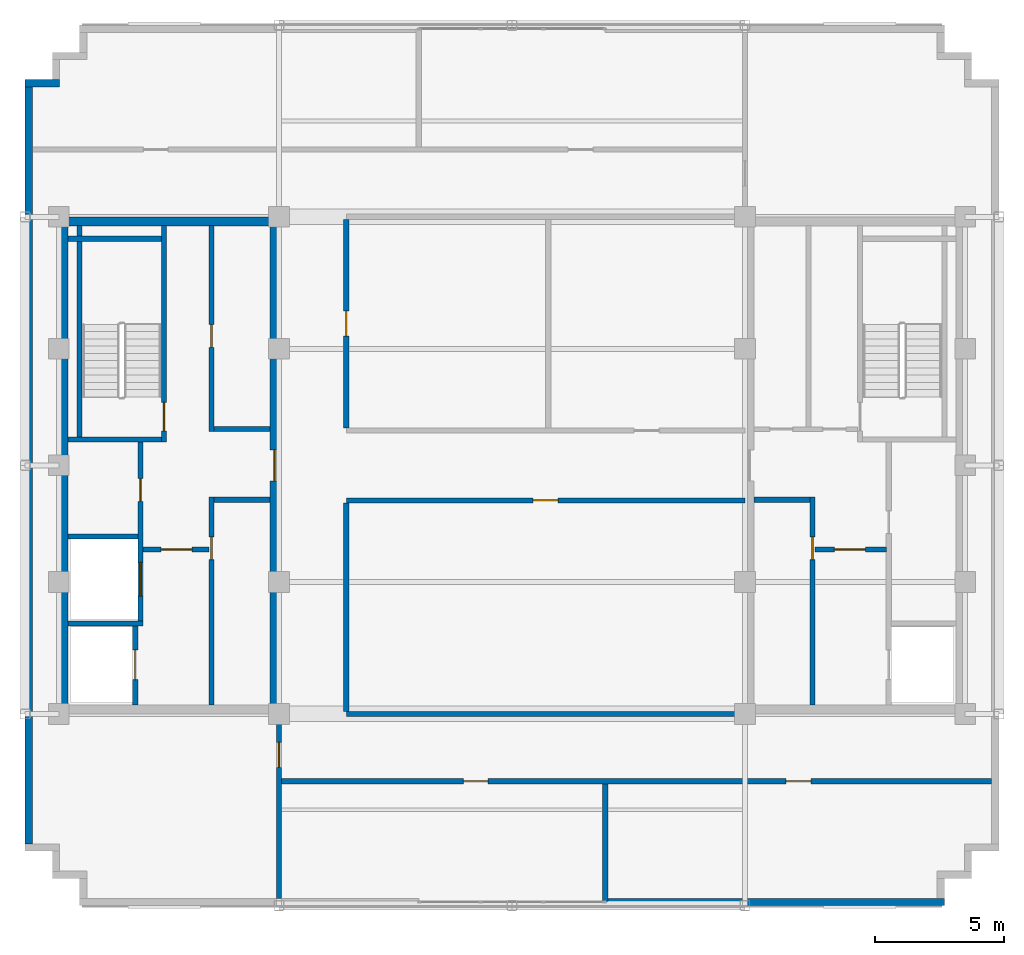
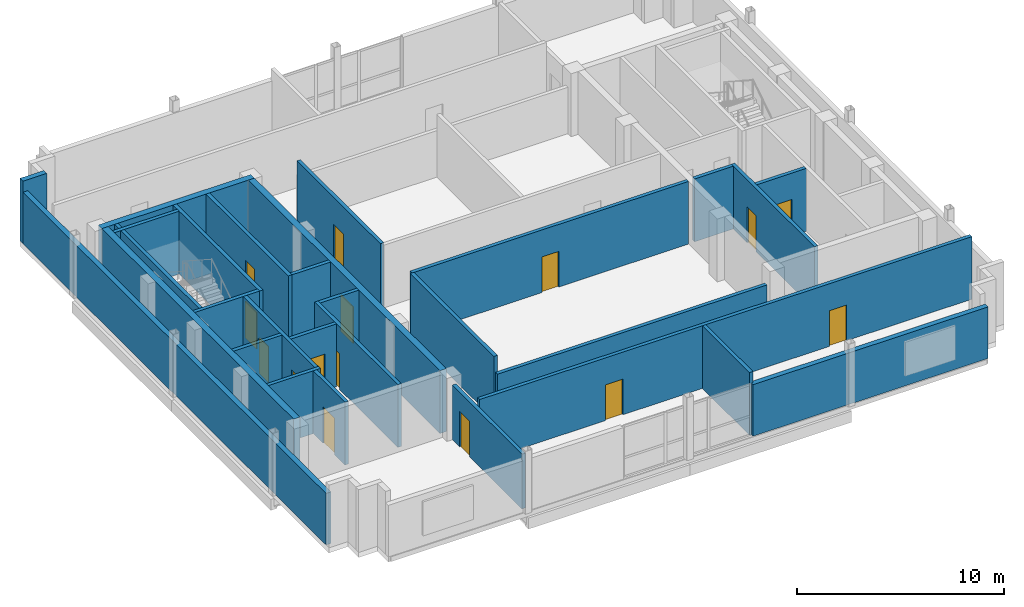
# One storey, part 2 of 10: 29 walls, 15 doors, 15 openings.
"""IFC4 building model written with IfcOpenShell, lengths in metres."""

from ifc_helpers import new_model, si_unit, direction, frame, frame_2d, origin, place, context, subcontext, project, spatial, rectangle, extrude, source, transform, mapped, material, layer, layer_set, type_object, type_shapes, element, fill, save


model = new_model("IFC4")

# Units and contexts
model_context = context("Model", 3, precision=1e-05, world=origin(), true_north=direction((0.0, 1.0)))
body_context = subcontext(model_context, "Body", "Model", "MODEL_VIEW")
ifc_project = project(units=[si_unit("LENGTHUNIT", "METRE"), si_unit("AREAUNIT", "SQUARE_METRE"), si_unit("VOLUMEUNIT", "CUBIC_METRE"), si_unit("PLANEANGLEUNIT", "RADIAN"), si_unit("MASSUNIT", "GRAM", prefix="KILO")], contexts=[model_context])

# Site, building, storey
site_placement = place(None, origin())
site = spatial("IfcSite", under=ifc_project, at=site_placement, CompositionType="ELEMENT")
building_placement = place(site_placement, origin())
building = spatial("IfcBuilding", under=site, at=building_placement, Name="Nuvemarco Arch Tower", CompositionType="ELEMENT")
storey_placement = place(building_placement, frame((0.0, 0.0, 291.14990234375)))
storey = spatial("IfcBuildingStorey", under=building, at=storey_placement, Name="L77", CompositionType="ELEMENT", Elevation=291.14990234375)

# Walls
ifc_material_1 = material(Name="Precast concrete C45/55", Category="concrete")
ifc_layer_1 = layer(ifc_material_1, 0.280029296875, Name="EW-CRN-280")
ifc_layer_set_1 = layer_set([ifc_layer_1], Name="Precast concrete C45/55")
wall_type_1 = type_object("IfcWallType", Name="EW-CRN-280", PredefinedType="STANDARD", material=ifc_layer_set_1)
wall_1_placement = place(storey_placement, frame((3.60009765625, -16.860107421875, 0.0), z_axis=(0.0, 0.0, 1.0), x_axis=(1.0, 0.0, 0.0)))
element("IfcWall", 1, at=wall_1_placement, inside=storey, type_object=wall_type_1, Name="L77 exterior precast pier wall south right", PredefinedType="STANDARD", context=body_context, shape_type="SweptSolid", body=[
    extrude(rectangle(XDim=13.099853515625, YDim=0.280029296875, at=frame_2d((6.5498046875, 0.0))), origin(), (0.0, 0.0, 1.0), 3.03515625),
])
wall_2_placement = place(storey_placement, frame((-18.800048828125, 14.760009765625, 0.0), z_axis=(0.0, 0.0, 1.0), x_axis=(1.0, 0.0, 0.0)))
element("IfcWall", 2, at=wall_2_placement, inside=storey, type_object=wall_type_1, Name="L77 exterior precast facade wall 15", PredefinedType="STANDARD", context=body_context, shape_type="SweptSolid", body=[
    extrude(rectangle(XDim=1.330078125, YDim=0.280029296875, at=frame_2d((0.6650390625, 0.0))), origin(), (0.0, 0.0, 1.0), 3.690185546875),
])
wall_3_placement = place(storey_placement, frame((-18.659912109375, -14.6240234375, 0.0), z_axis=(0.0, 0.0, 1.0), x_axis=(0.0, 1.0, 0.0)))
element("IfcWall", 3, at=wall_3_placement, inside=storey, type_object=wall_type_1, Name="L77 exterior precast facade wall 16", PredefinedType="STANDARD", context=body_context, shape_type="SweptSolid", body=[
    extrude(rectangle(XDim=29.248046875, YDim=0.280029296875, at=frame_2d((14.6240234375, 0.0))), origin(), (0.0, 0.0, 1.0), 3.03515625),
])
ifc_material_2 = material(Name="Concrete C50/60", Category="concrete")
ifc_layer_2 = layer(ifc_material_2, 0.35009765625, Name="WL-CORE-350")
ifc_layer_set_2 = layer_set([ifc_layer_2], Name="Concrete C50/60")
wall_type_2 = type_object("IfcWallType", Name="WL-CORE-350", PredefinedType="SHEAR", material=ifc_layer_set_2)
wall_4_placement = place(storey_placement, frame((-17.5, 9.425048828125, 0.0), z_axis=(0.0, 0.0, 1.0), x_axis=(1.0, 0.0, 0.0)))
element("IfcWall", 4, at=wall_4_placement, inside=storey, type_object=wall_type_2, Name="L77 W-core shear wall N", PredefinedType="SHEAR", context=body_context, shape_type="SweptSolid", body=[
    extrude(rectangle(XDim=8.5, YDim=0.35009765625, at=frame_2d((4.25, 0.0))), origin(), (0.0, 0.0, 1.0), 3.7001953125),
])
wall_5_placement = place(storey_placement, frame((-17.324951171875, -9.2548828125, 0.0), z_axis=(0.0, 0.0, 1.0), x_axis=(0.0, 1.0, 0.0)))
element("IfcWall", 5, at=wall_5_placement, inside=storey, type_object=wall_type_2, Name="L77 W-core shear wall W", PredefinedType="SHEAR", context=body_context, shape_type="SweptSolid", body=[
    extrude(rectangle(XDim=18.509765625, YDim=0.35009765625, at=frame_2d((9.2548828125, 0.0))), origin(), (0.0, 0.0, 1.0), 3.7001953125),
])

# Wall, opening, door
wall_6_placement = place(storey_placement, frame((-9.175048828125, -9.2548828125, 0.0), z_axis=(0.0, 0.0, 1.0), x_axis=(0.0, 1.0, 0.0)))
wall_6 = element("IfcWall", 6, at=wall_6_placement, inside=storey, type_object=wall_type_2, Name="L77 W-core shear wall E", PredefinedType="SHEAR", context=body_context, shape_type="SweptSolid", body=[
    extrude(rectangle(XDim=18.509765625, YDim=0.35009765625, at=frame_2d((9.2548828125, 0.0))), origin(), (0.0, 0.0, 1.0), 3.7001953125),
])
opening_1_placement = place(wall_6_placement, frame((8.655029296875, 0.0, 0.0)))
opening_1 = element("IfcOpeningElement", 7, at=opening_1_placement, cuts=wall_6, Name="Opening FD-2", PredefinedType="OPENING", context=body_context, shape_type="SweptSolid", body=[
    extrude(rectangle(XDim=1.199951171875, YDim=2.14990234375, at=frame_2d((0.60009765625, 1.074951171875))), frame((0.0, 0.18505859375, 0.0), z_axis=(0.0, -1.0, 0.0), x_axis=(1.0, 0.0, 0.0)), (0.0, 0.0, 1.0), 0.3701171875),
])
ifc_material_3 = material(Name="Anodised steel fire door", Category="steel")
door_type_1 = type_object("IfcDoorType", Name="DR-FFLOB-FD", OperationType="NOTDEFINED", PredefinedType="DOOR", material=ifc_material_3)
shared_shape_1 = source(origin(), body_context, "Body", "SweptSolid", [
    extrude(rectangle(XDim=1.199951171875, YDim=2.14990234375, at=frame_2d((0.60009765625, 1.074951171875))), frame((0.0, 0.02490234375, 0.0), z_axis=(0.0, -1.0, 0.0), x_axis=(1.0, 0.0, 0.0)), (0.0, 0.0, 1.0), 0.050048828125),
])
type_shapes(door_type_1, [shared_shape_1])
door_1_placement = place(opening_1_placement, origin())
door_1 = element("IfcDoor", 8, at=door_1_placement, inside=storey, type_object=door_type_1, Name="L77 door FD-L77-WCORE-E", OperationType="SINGLE_SWING_RIGHT", OverallHeight=2.14990234375, OverallWidth=1.199951171875, PredefinedType="DOOR", context=body_context, shape_type="MappedRepresentation", body=[
    mapped(shared_shape_1, transform((0.0, 0.0, 0.0), scale=1.0)),
])
fill(opening_1, door_1)

# Wall, openings, doors
ifc_layer_3 = layer(ifc_material_1, 0.199951171875, Name="WL-PLANT-200")
ifc_layer_set_3 = layer_set([ifc_layer_3], Name="Precast concrete C45/55")
wall_type_3 = type_object("IfcWallType", Name="WL-PLANT-200", PredefinedType="STANDARD", material=ifc_layer_set_3)
wall_7_placement = place(storey_placement, frame((-8.904052734375, -12.199951171875, 0.0), z_axis=(0.0, 0.0, 1.0), x_axis=(1.0, 0.0, 0.0)))
wall_7 = element("IfcWall", 9, at=wall_7_placement, inside=storey, type_object=wall_type_3, Name="L77 interior wall IW-L77-001", PredefinedType="STANDARD", context=body_context, shape_type="SweptSolid", body=[
    extrude(rectangle(XDim=27.424072265625, YDim=0.199951171875, at=frame_2d((13.7119140625, 0.0))), origin(), (0.0, 0.0, 1.0), 3.690185546875),
])
opening_2_placement = place(wall_7_placement, frame((19.48388671875, 0.0, 0.0)))
opening_2 = element("IfcOpeningElement", 10, at=opening_2_placement, cuts=wall_7, Name="Opening FD-5", PredefinedType="OPENING", context=body_context, shape_type="SweptSolid", body=[
    extrude(rectangle(XDim=0.9599609375, YDim=2.10009765625, at=frame_2d((0.47998046875, 1.050048828125))), frame((0.0, 0.10986328125, 0.0), z_axis=(0.0, -1.0, 0.0), x_axis=(1.0, 0.0, 0.0)), (0.0, 0.0, 1.0), 0.219970703125),
])
opening_3_placement = place(wall_7_placement, frame((7.02392578125, 0.0, 0.0)))
opening_3 = element("IfcOpeningElement", 11, at=opening_3_placement, cuts=wall_7, Name="Opening FD-5", PredefinedType="OPENING", context=body_context, shape_type="SweptSolid", body=[
    extrude(rectangle(XDim=0.9599609375, YDim=2.10009765625, at=frame_2d((0.47998046875, 1.050048828125))), frame((0.0, 0.10986328125, 0.0), z_axis=(0.0, -1.0, 0.0), x_axis=(1.0, 0.0, 0.0)), (0.0, 0.0, 1.0), 0.219970703125),
])
ifc_material_4 = material(Name="Timber fire door", Category="wood")
door_type_2 = type_object("IfcDoorType", Name="DR-CORR-FD", OperationType="NOTDEFINED", PredefinedType="DOOR", material=ifc_material_4)
shared_shape_2 = source(origin(), body_context, "Body", "SweptSolid", [
    extrude(rectangle(XDim=0.9599609375, YDim=2.10009765625, at=frame_2d((0.47998046875, 1.050048828125))), frame((0.0, 0.02490234375, 0.0), z_axis=(0.0, -1.0, 0.0), x_axis=(1.0, 0.0, 0.0)), (0.0, 0.0, 1.0), 0.050048828125),
])
type_shapes(door_type_2, [shared_shape_2])
door_2_placement = place(opening_2_placement, origin())
door_2 = element("IfcDoor", 12, at=door_2_placement, inside=storey, type_object=door_type_2, Name="L77 door DR-L77-CRN_S2", OperationType="SINGLE_SWING_LEFT", OverallHeight=2.10009765625, OverallWidth=0.9599609375, PredefinedType="DOOR", context=body_context, shape_type="MappedRepresentation", body=[
    mapped(shared_shape_2, transform((0.0, 0.0, 0.0), scale=1.0)),
])
fill(opening_2, door_2)
door_3_placement = place(opening_3_placement, origin())
door_3 = element("IfcDoor", 13, at=door_3_placement, inside=storey, type_object=door_type_2, Name="L77 door DR-L77-CRN_S1", OperationType="SINGLE_SWING_LEFT", OverallHeight=2.10009765625, OverallWidth=0.9599609375, PredefinedType="DOOR", context=body_context, shape_type="MappedRepresentation", body=[
    mapped(shared_shape_2, transform((0.0, 0.0, 0.0), scale=1.0)),
])
fill(opening_3, door_3)

# Wall
wall_8_placement = place(storey_placement, frame((-6.39990234375, -9.60009765625, 0.0), z_axis=(0.0, 0.0, 1.0), x_axis=(1.0, 0.0, 0.0)))
element("IfcWall", 14, at=wall_8_placement, inside=storey, type_object=wall_type_3, Name="L77 interior wall IW-L77-002", PredefinedType="STANDARD", context=body_context, shape_type="SweptSolid", body=[
    extrude(rectangle(XDim=15.00390625, YDim=0.199951171875, at=frame_2d((7.501953125, 0.0))), origin(), (0.0, 0.0, 1.0), 2.735107421875),
])

# Wall, opening, door
wall_9_placement = place(storey_placement, frame((-6.39990234375, -1.35009765625, 0.0), z_axis=(0.0, 0.0, 1.0), x_axis=(1.0, 0.0, 0.0)))
wall_9 = element("IfcWall", 15, at=wall_9_placement, inside=storey, type_object=wall_type_3, Name="L77 interior wall IW-L77-003", PredefinedType="STANDARD", context=body_context, shape_type="SweptSolid", body=[
    extrude(rectangle(XDim=15.39990234375, YDim=0.199951171875, at=frame_2d((7.699951171875, 0.0))), origin(), (0.0, 0.0, 1.0), 3.690185546875),
])
opening_4_placement = place(wall_9_placement, frame((7.219970703125, 0.0, 0.0)))
opening_4 = element("IfcOpeningElement", 16, at=opening_4_placement, cuts=wall_9, Name="Opening FD-5", PredefinedType="OPENING", context=body_context, shape_type="SweptSolid", body=[
    extrude(rectangle(XDim=0.9599609375, YDim=2.10009765625, at=frame_2d((0.47998046875, 1.050048828125))), frame((0.0, 0.10986328125, 0.0), z_axis=(0.0, -1.0, 0.0), x_axis=(1.0, 0.0, 0.0)), (0.0, 0.0, 1.0), 0.219970703125),
])
door_4_placement = place(opening_4_placement, origin())
door_4 = element("IfcDoor", 17, at=door_4_placement, inside=storey, type_object=door_type_2, Name="L77 door DR-L77-CRN_BMS", OperationType="SINGLE_SWING_RIGHT", OverallHeight=2.10009765625, OverallWidth=0.9599609375, PredefinedType="DOOR", context=body_context, shape_type="MappedRepresentation", body=[
    mapped(shared_shape_2, transform((0.0, 0.0, 0.0), scale=1.0)),
])
fill(opening_4, door_4)

wall_10_placement = place(storey_placement, frame((-9.0, -16.719970703125, 0.0), z_axis=(0.0, 0.0, 1.0), x_axis=(0.0, 1.0, 0.0)))
wall_10 = element("IfcWall", 18, at=wall_10_placement, inside=storey, type_object=wall_type_3, Name="L77 interior wall IW-L77-007", PredefinedType="STANDARD", context=body_context, shape_type="SweptSolid", body=[
    extrude(rectangle(XDim=6.723876953125, YDim=0.199951171875, at=frame_2d((3.36181640625, 0.0))), origin(), (0.0, 0.0, 1.0), 3.22216796875),
])
opening_5_placement = place(wall_10_placement, frame((5.06005859375, 0.0, 0.0)))
opening_5 = element("IfcOpeningElement", 19, at=opening_5_placement, cuts=wall_10, Name="Opening FD-5", PredefinedType="OPENING", context=body_context, shape_type="SweptSolid", body=[
    extrude(rectangle(XDim=0.9599609375, YDim=2.10009765625, at=frame_2d((0.47998046875, 1.050048828125))), frame((0.0, 0.10986328125, 0.0), z_axis=(0.0, -1.0, 0.0), x_axis=(1.0, 0.0, 0.0)), (0.0, 0.0, 1.0), 0.219970703125),
])
door_5_placement = place(opening_5_placement, origin())
door_5 = element("IfcDoor", 20, at=door_5_placement, inside=storey, type_object=door_type_2, Name="L77 door DR-L77-CRN_SW", OperationType="SINGLE_SWING_RIGHT", OverallHeight=2.10009765625, OverallWidth=0.9599609375, PredefinedType="DOOR", context=body_context, shape_type="MappedRepresentation", body=[
    mapped(shared_shape_2, transform((0.0, 0.0, 0.0), scale=1.0)),
])
fill(opening_5, door_5)

# Wall
wall_11_placement = place(storey_placement, frame((-6.39990234375, -9.50390625, 0.0), z_axis=(0.0, 0.0, 1.0), x_axis=(0.0, 1.0, 0.0)))
element("IfcWall", 21, at=wall_11_placement, inside=storey, type_object=wall_type_3, Name="L77 interior wall IW-L77-008", PredefinedType="STANDARD", context=body_context, shape_type="SweptSolid", body=[
    extrude(rectangle(XDim=8.057861328125, YDim=0.199951171875, at=frame_2d((4.02880859375, 0.0))), origin(), (0.0, 0.0, 1.0), 3.690185546875),
])

# Wall, opening, door
wall_12_placement = place(storey_placement, frame((-6.39990234375, 1.446044921875, 0.0), z_axis=(0.0, 0.0, 1.0), x_axis=(0.0, 1.0, 0.0)))
wall_12 = element("IfcWall", 22, at=wall_12_placement, inside=storey, type_object=wall_type_3, Name="L77 interior wall IW-L77-009", PredefinedType="STANDARD", context=body_context, shape_type="SweptSolid", body=[
    extrude(rectangle(XDim=8.057861328125, YDim=0.199951171875, at=frame_2d((4.02880859375, 0.0))), origin(), (0.0, 0.0, 1.0), 3.690185546875),
])
opening_6_placement = place(wall_12_placement, frame((3.549072265625, 0.0, 0.0)))
opening_6 = element("IfcOpeningElement", 23, at=opening_6_placement, cuts=wall_12, Name="Opening FD-5", PredefinedType="OPENING", context=body_context, shape_type="SweptSolid", body=[
    extrude(rectangle(XDim=0.9599609375, YDim=2.10009765625, at=frame_2d((0.47998046875, 1.050048828125))), frame((0.0, 0.10986328125, 0.0), z_axis=(0.0, -1.0, 0.0), x_axis=(1.0, 0.0, 0.0)), (0.0, 0.0, 1.0), 0.219970703125),
])
door_6_placement = place(opening_6_placement, origin())
door_6 = element("IfcDoor", 24, at=door_6_placement, inside=storey, type_object=door_type_2, Name="L77 door DR-L77-CRN_PUMP1", OperationType="SINGLE_SWING_LEFT", OverallHeight=2.10009765625, OverallWidth=0.9599609375, PredefinedType="DOOR", context=body_context, shape_type="MappedRepresentation", body=[
    mapped(shared_shape_2, transform((0.0, 0.0, 0.0), scale=1.0)),
])
fill(opening_6, door_6)

# Wall
wall_13_placement = place(storey_placement, frame((3.60009765625, -16.844970703125, 0.0), z_axis=(0.0, 0.0, 1.0), x_axis=(0.0, 1.0, 0.0)))
element("IfcWall", 25, at=wall_13_placement, inside=storey, type_object=wall_type_3, Name="L77 interior wall IW-L77-012", PredefinedType="STANDARD", context=body_context, shape_type="SweptSolid", body=[
    extrude(rectangle(XDim=4.549072265625, YDim=0.199951171875, at=frame_2d((2.2744140625, 0.0))), origin(), (0.0, 0.0, 1.0), 3.690185546875),
])

# Wall, opening, door
ifc_layer_4 = layer(ifc_material_2, 0.199951171875, Name="WL-SHAFT-220")
ifc_layer_set_4 = layer_set([ifc_layer_4], Name="Concrete C50/60")
wall_type_4 = type_object("IfcWallType", Name="WL-SHAFT-220", PredefinedType="SHEAR", material=ifc_layer_set_4)
wall_14_placement = place(storey_placement, frame((-13.43994140625, 0.89990234375, 0.0), z_axis=(0.0, 0.0, 1.0), x_axis=(0.0, 1.0, 0.0)))
wall_14 = element("IfcWall", 26, at=wall_14_placement, inside=storey, type_object=wall_type_4, Name="L77 structural shaft wall SW-L77-W-ST1E", PredefinedType="SHEAR", context=body_context, shape_type="SweptSolid", body=[
    extrude(rectangle(XDim=8.35498046875, YDim=0.199951171875, at=frame_2d((4.177490234375, 0.0))), origin(), (0.0, 0.0, 1.0), 3.7001953125),
])
opening_7_placement = place(wall_14_placement, frame((1.530029296875, 0.0, 0.0), z_axis=(0.0, 0.0, 1.0), x_axis=(-1.0, 0.0, 0.0)))
opening_7 = element("IfcOpeningElement", 27, at=opening_7_placement, cuts=wall_14, Name="Opening FD-1", PredefinedType="OPENING", context=body_context, shape_type="SweptSolid", body=[
    extrude(rectangle(XDim=1.10009765625, YDim=2.14990234375, at=frame_2d((0.550048828125, 1.074951171875))), frame((0.0, 0.10986328125, 0.0), z_axis=(0.0, -1.0, 0.0), x_axis=(1.0, 0.0, 0.0)), (0.0, 0.0, 1.0), 0.219970703125),
])
door_type_3 = type_object("IfcDoorType", Name="DR-STAIR-FD", OperationType="NOTDEFINED", PredefinedType="DOOR", material=ifc_material_3)
shared_shape_3 = source(origin(), body_context, "Body", "SweptSolid", [
    extrude(rectangle(XDim=1.10009765625, YDim=2.14990234375, at=frame_2d((0.550048828125, 1.074951171875))), frame((0.0, 0.02490234375, 0.0), z_axis=(0.0, -1.0, 0.0), x_axis=(1.0, 0.0, 0.0)), (0.0, 0.0, 1.0), 0.050048828125),
])
type_shapes(door_type_3, [shared_shape_3])
door_7_placement = place(opening_7_placement, origin())
door_7 = element("IfcDoor", 28, at=door_7_placement, inside=storey, type_object=door_type_3, Name="L77 door FD-L77-ST1", OperationType="SINGLE_SWING_LEFT", OverallHeight=2.14990234375, OverallWidth=1.10009765625, PredefinedType="DOOR", context=body_context, shape_type="MappedRepresentation", body=[
    mapped(shared_shape_3, transform((0.0, 0.0, 0.0), scale=1.0)),
])
fill(opening_7, door_7)

# Walls
for number, where, z_axis, x_axis, name in (
    (29, (-17.155029296875, 1.0, 0.0), (0.0, 0.0, 1.0), (1.0, 0.0, 0.0), "L77 structural shaft wall SW-L77-W-ST1S"),
    (30, (-17.155029296875, 8.75, 0.0), (0.0, 0.0, 1.0), (1.0, 0.0, 0.0), "L77 structural shaft wall SW-L77-W-ST1N"),
):
    element("IfcWall", number, at=place(storey_placement, frame(where, z_axis=z_axis, x_axis=x_axis)), inside=storey, type_object=wall_type_4, Name=name, PredefinedType="SHEAR", context=body_context, shape_type="SweptSolid", body=[
        extrude(rectangle(XDim=3.6201171875, YDim=0.199951171875, at=frame_2d((1.81005859375, 0.0))), origin(), (0.0, 0.0, 1.0), 3.7001953125),
    ])
wall_15_placement = place(storey_placement, frame((-16.699951171875, 1.094970703125, 0.0), z_axis=(0.0, 0.0, 1.0), x_axis=(0.0, 1.0, 0.0)))
element("IfcWall", 31, at=wall_15_placement, inside=storey, type_object=wall_type_4, Name="L77 structural shaft wall SW-L77-W-ST1W", PredefinedType="SHEAR", context=body_context, shape_type="SweptSolid", body=[
    extrude(rectangle(XDim=8.159912109375, YDim=0.199951171875, at=frame_2d((4.080078125, 0.0))), origin(), (0.0, 0.0, 1.0), 3.7001953125),
])

# Wall, opening, door
wall_16_placement = place(storey_placement, frame((-14.550048828125, -9.2548828125, 0.0), z_axis=(0.0, 0.0, 1.0), x_axis=(0.0, 1.0, 0.0)))
wall_16 = element("IfcWall", 32, at=wall_16_placement, inside=storey, type_object=wall_type_4, Name="L77 structural shaft wall SW-L77-W-SHE", PredefinedType="SHEAR", context=body_context, shape_type="SweptSolid", body=[
    extrude(rectangle(XDim=3.059814453125, YDim=0.199951171875, at=frame_2d((1.52978515625, 0.0))), origin(), (0.0, 0.0, 1.0), 3.7001953125),
])
opening_8_placement = place(wall_16_placement, frame((0.97998046875, 0.0, 0.0)))
opening_8 = element("IfcOpeningElement", 33, at=opening_8_placement, cuts=wall_16, Name="Opening LD-2", PredefinedType="OPENING", context=body_context, shape_type="SweptSolid", body=[
    extrude(rectangle(XDim=1.14990234375, YDim=2.14990234375, at=frame_2d((0.574951171875, 1.074951171875))), frame((0.0, 0.10986328125, 0.0), z_axis=(0.0, -1.0, 0.0), x_axis=(1.0, 0.0, 0.0)), (0.0, 0.0, 1.0), 0.219970703125),
])
ifc_material_5 = material(Name="Stainless steel lift door", Category="steel")
door_type_4 = type_object("IfcDoorType", Name="DR-LIFT-FIRE", OperationType="DOUBLE_DOOR_SLIDING", PredefinedType="DOOR", material=ifc_material_5)
shared_shape_4 = source(origin(), body_context, "Body", "SweptSolid", [
    extrude(rectangle(XDim=1.14990234375, YDim=2.14990234375, at=frame_2d((0.574951171875, 1.074951171875))), frame((0.0, 0.02490234375, 0.0), z_axis=(0.0, -1.0, 0.0), x_axis=(1.0, 0.0, 0.0)), (0.0, 0.0, 1.0), 0.050048828125),
])
type_shapes(door_type_4, [shared_shape_4])
door_8_placement = place(opening_8_placement, origin())
door_8 = element("IfcDoor", 34, at=door_8_placement, inside=storey, type_object=door_type_4, Name="L77 Lift landing sliding door FFL-1", OperationType="DOUBLE_DOOR_SLIDING", OverallHeight=2.14990234375, OverallWidth=1.14990234375, PredefinedType="DOOR", context=body_context, shape_type="MappedRepresentation", body=[
    mapped(shared_shape_4, transform((0.0, 0.0, 0.0), scale=1.0)),
])
fill(opening_8, door_8)

# Wall, openings, doors
wall_17_placement = place(storey_placement, frame((-14.35009765625, -6.199951171875, 0.0), z_axis=(0.0, 0.0, 1.0), x_axis=(0.0, 1.0, 0.0)))
wall_17 = element("IfcWall", 35, at=wall_17_placement, inside=storey, type_object=wall_type_4, Name="L77 structural shaft wall SW-L77-W-SVE", PredefinedType="SHEAR", context=body_context, shape_type="SweptSolid", body=[
    extrude(rectangle(XDim=7.10498046875, YDim=0.199951171875, at=frame_2d((3.552490234375, 0.0))), origin(), (0.0, 0.0, 1.0), 3.7001953125),
])
opening_9_placement = place(wall_17_placement, frame((5.68994140625, 0.0, 0.0), z_axis=(0.0, 0.0, 1.0), x_axis=(-1.0, 0.0, 0.0)))
opening_9 = element("IfcOpeningElement", 36, at=opening_9_placement, cuts=wall_17, Name="Opening FD-4", PredefinedType="OPENING", context=body_context, shape_type="SweptSolid", body=[
    extrude(rectangle(XDim=0.8798828125, YDim=2.10009765625, at=frame_2d((0.43994140625, 1.050048828125))), frame((0.0, 0.10986328125, 0.0), z_axis=(0.0, -1.0, 0.0), x_axis=(1.0, 0.0, 0.0)), (0.0, 0.0, 1.0), 0.219970703125),
])
opening_10_placement = place(wall_17_placement, frame((1.14990234375, 0.0, 0.0)))
opening_10 = element("IfcOpeningElement", 37, at=opening_10_placement, cuts=wall_17, Name="Opening LD-3", PredefinedType="OPENING", context=body_context, shape_type="SweptSolid", body=[
    extrude(rectangle(XDim=1.300048828125, YDim=2.199951171875, at=frame_2d((0.64990234375, 1.10009765625))), frame((0.0, 0.10986328125, 0.0), z_axis=(0.0, -1.0, 0.0), x_axis=(1.0, 0.0, 0.0)), (0.0, 0.0, 1.0), 0.219970703125),
])
door_type_5 = type_object("IfcDoorType", Name="DR-RISER-FD", OperationType="NOTDEFINED", PredefinedType="DOOR", material=ifc_material_3)
shared_shape_5 = source(origin(), body_context, "Body", "SweptSolid", [
    extrude(rectangle(XDim=0.8798828125, YDim=2.10009765625, at=frame_2d((0.43994140625, 1.050048828125))), frame((0.0, 0.02490234375, 0.0), z_axis=(0.0, -1.0, 0.0), x_axis=(1.0, 0.0, 0.0)), (0.0, 0.0, 1.0), 0.050048828125),
])
type_shapes(door_type_5, [shared_shape_5])
door_9_placement = place(opening_9_placement, origin())
door_9 = element("IfcDoor", 38, at=door_9_placement, inside=storey, type_object=door_type_5, Name="L77 door FD-L77-WRIS", OperationType="SINGLE_SWING_LEFT", OverallHeight=2.10009765625, OverallWidth=0.8798828125, PredefinedType="DOOR", context=body_context, shape_type="MappedRepresentation", body=[
    mapped(shared_shape_5, transform((0.0, 0.0, 0.0), scale=1.0)),
])
fill(opening_9, door_9)
door_type_6 = type_object("IfcDoorType", Name="DR-LIFT-SERV", OperationType="DOUBLE_DOOR_SLIDING", PredefinedType="DOOR", material=ifc_material_5)
shared_shape_6 = source(origin(), body_context, "Body", "SweptSolid", [
    extrude(rectangle(XDim=1.300048828125, YDim=2.199951171875, at=frame_2d((0.64990234375, 1.10009765625))), frame((0.0, 0.02490234375, 0.0), z_axis=(0.0, -1.0, 0.0), x_axis=(1.0, 0.0, 0.0)), (0.0, 0.0, 1.0), 0.050048828125),
])
type_shapes(door_type_6, [shared_shape_6])
door_10_placement = place(opening_10_placement, origin())
door_10 = element("IfcDoor", 39, at=door_10_placement, inside=storey, type_object=door_type_6, Name="L77 Lift landing sliding door SVL-1", OperationType="DOUBLE_DOOR_SLIDING", OverallHeight=2.199951171875, OverallWidth=1.300048828125, PredefinedType="DOOR", context=body_context, shape_type="MappedRepresentation", body=[
    mapped(shared_shape_6, transform((0.0, 0.0, 0.0), scale=1.0)),
])
fill(opening_10, door_10)

# Walls
wall_18_placement = place(storey_placement, frame((-17.155029296875, -6.10009765625, 0.0), z_axis=(0.0, 0.0, 1.0), x_axis=(1.0, 0.0, 0.0)))
element("IfcWall", 40, at=wall_18_placement, inside=storey, type_object=wall_type_4, Name="L77 structural shaft wall SW-L77-W-SH1", PredefinedType="SHEAR", context=body_context, shape_type="SweptSolid", body=[
    extrude(rectangle(XDim=2.905029296875, YDim=0.199951171875, at=frame_2d((1.45263671875, 0.0))), origin(), (0.0, 0.0, 1.0), 3.7001953125),
])
wall_19_placement = place(storey_placement, frame((-17.155029296875, -2.75, 0.0), z_axis=(0.0, 0.0, 1.0), x_axis=(1.0, 0.0, 0.0)))
element("IfcWall", 41, at=wall_19_placement, inside=storey, type_object=wall_type_4, Name="L77 structural shaft wall SW-L77-W-SH2", PredefinedType="SHEAR", context=body_context, shape_type="SweptSolid", body=[
    extrude(rectangle(XDim=2.7099609375, YDim=0.199951171875, at=frame_2d((1.35498046875, 0.0))), origin(), (0.0, 0.0, 1.0), 3.7001953125),
])

# Wall, opening, door
wall_20_placement = place(storey_placement, frame((-11.60009765625, -9.2548828125, 0.0), z_axis=(0.0, 0.0, 1.0), x_axis=(0.0, 1.0, 0.0)))
wall_20 = element("IfcWall", 42, at=wall_20_placement, inside=storey, type_object=wall_type_4, Name="L77 structural shaft wall SW-L77-W-PLW", PredefinedType="SHEAR", context=body_context, shape_type="SweptSolid", body=[
    extrude(rectangle(XDim=8.02490234375, YDim=0.199951171875, at=frame_2d((4.012451171875, 0.0))), origin(), (0.0, 0.0, 1.0), 3.7001953125),
])
opening_11_placement = place(wall_20_placement, frame((5.614990234375, 0.0, 0.0)))
opening_11 = element("IfcOpeningElement", 43, at=opening_11_placement, cuts=wall_20, Name="Opening FD-4", PredefinedType="OPENING", context=body_context, shape_type="SweptSolid", body=[
    extrude(rectangle(XDim=0.8798828125, YDim=2.10009765625, at=frame_2d((0.43994140625, 1.050048828125))), frame((0.0, 0.10986328125, 0.0), z_axis=(0.0, -1.0, 0.0), x_axis=(1.0, 0.0, 0.0)), (0.0, 0.0, 1.0), 0.219970703125),
])
door_11_placement = place(opening_11_placement, origin())
door_11 = element("IfcDoor", 44, at=door_11_placement, inside=storey, type_object=door_type_5, Name="L77 door FD-L77-WREC1", OperationType="SINGLE_SWING_LEFT", OverallHeight=2.10009765625, OverallWidth=0.8798828125, PredefinedType="DOOR", context=body_context, shape_type="MappedRepresentation", body=[
    mapped(shared_shape_5, transform((0.0, 0.0, 0.0), scale=1.0)),
])
fill(opening_11, door_11)

wall_21_placement = place(storey_placement, frame((-14.2548828125, -3.25, 0.0), z_axis=(0.0, 0.0, 1.0), x_axis=(1.0, 0.0, 0.0)))
wall_21 = element("IfcWall", 45, at=wall_21_placement, inside=storey, type_object=wall_type_4, Name="L77 structural shaft wall SW-L77-W-FFN", PredefinedType="SHEAR", context=body_context, shape_type="SweptSolid", body=[
    extrude(rectangle(XDim=2.559814453125, YDim=0.199951171875, at=frame_2d((1.27978515625, 0.0))), origin(), (0.0, 0.0, 1.0), 3.7001953125),
])
opening_12_placement = place(wall_21_placement, frame((0.705078125, 0.0, 0.0)))
opening_12 = element("IfcOpeningElement", 46, at=opening_12_placement, cuts=wall_21, Name="Opening FD-2", PredefinedType="OPENING", context=body_context, shape_type="SweptSolid", body=[
    extrude(rectangle(XDim=1.199951171875, YDim=2.14990234375, at=frame_2d((0.60009765625, 1.074951171875))), frame((0.0, 0.10986328125, 0.0), z_axis=(0.0, -1.0, 0.0), x_axis=(1.0, 0.0, 0.0)), (0.0, 0.0, 1.0), 0.219970703125),
])
door_12_placement = place(opening_12_placement, origin())
door_12 = element("IfcDoor", 47, at=door_12_placement, inside=storey, type_object=door_type_1, Name="L77 door FD-L77-WFF1", OperationType="SINGLE_SWING_LEFT", OverallHeight=2.14990234375, OverallWidth=1.199951171875, PredefinedType="DOOR", context=body_context, shape_type="MappedRepresentation", body=[
    mapped(shared_shape_1, transform((0.0, 0.0, 0.0), scale=1.0)),
])
fill(opening_12, door_12)

# Wall
wall_22_placement = place(storey_placement, frame((-11.5048828125, -1.330078125, 0.0), z_axis=(0.0, 0.0, 1.0), x_axis=(1.0, 0.0, 0.0)))
element("IfcWall", 48, at=wall_22_placement, inside=storey, type_object=wall_type_4, Name="L77 structural shaft wall SW-L77-W-PLTOP", PredefinedType="SHEAR", context=body_context, shape_type="SweptSolid", body=[
    extrude(rectangle(XDim=2.159912109375, YDim=0.199951171875, at=frame_2d((1.080078125, 0.0))), origin(), (0.0, 0.0, 1.0), 3.7001953125),
])

# Wall, opening, door
wall_23_placement = place(storey_placement, frame((-11.60009765625, 1.300048828125, 0.0), z_axis=(0.0, 0.0, 1.0), x_axis=(0.0, 1.0, 0.0)))
wall_23 = element("IfcWall", 49, at=wall_23_placement, inside=storey, type_object=wall_type_4, Name="L77 structural shaft wall SW-L77-W-PHW", PredefinedType="SHEAR", context=body_context, shape_type="SweptSolid", body=[
    extrude(rectangle(XDim=7.954833984375, YDim=0.199951171875, at=frame_2d((3.9775390625, 0.0))), origin(), (0.0, 0.0, 1.0), 3.7001953125),
])
opening_13_placement = place(wall_23_placement, frame((3.260009765625, 0.0, 0.0)))
opening_13 = element("IfcOpeningElement", 50, at=opening_13_placement, cuts=wall_23, Name="Opening FD-4", PredefinedType="OPENING", context=body_context, shape_type="SweptSolid", body=[
    extrude(rectangle(XDim=0.8798828125, YDim=2.10009765625, at=frame_2d((0.43994140625, 1.050048828125))), frame((0.0, 0.10986328125, 0.0), z_axis=(0.0, -1.0, 0.0), x_axis=(1.0, 0.0, 0.0)), (0.0, 0.0, 1.0), 0.219970703125),
])
door_13_placement = place(opening_13_placement, origin())
door_13 = element("IfcDoor", 51, at=door_13_placement, inside=storey, type_object=door_type_5, Name="L77 door FD-L77-WRECPH", OperationType="SINGLE_SWING_LEFT", OverallHeight=2.10009765625, OverallWidth=0.8798828125, PredefinedType="DOOR", context=body_context, shape_type="MappedRepresentation", body=[
    mapped(shared_shape_5, transform((0.0, 0.0, 0.0), scale=1.0)),
])
fill(opening_13, door_13)

# Wall
wall_24_placement = place(storey_placement, frame((-11.5048828125, 1.39990234375, 0.0), z_axis=(0.0, 0.0, 1.0), x_axis=(1.0, 0.0, 0.0)))
element("IfcWall", 52, at=wall_24_placement, inside=storey, type_object=wall_type_4, Name="L77 structural shaft wall SW-L77-W-PHBOT", PredefinedType="SHEAR", context=body_context, shape_type="SweptSolid", body=[
    extrude(rectangle(XDim=2.159912109375, YDim=0.199951171875, at=frame_2d((1.080078125, 0.0))), origin(), (0.0, 0.0, 1.0), 3.7001953125),
])

# Wall, opening, door
wall_25_placement = place(storey_placement, frame((11.60009765625, -9.2548828125, 0.0), z_axis=(0.0, 0.0, 1.0), x_axis=(0.0, 1.0, 0.0)))
wall_25 = element("IfcWall", 53, at=wall_25_placement, inside=storey, type_object=wall_type_4, Name="L77 structural shaft wall SW-L77-E-PME", PredefinedType="SHEAR", context=body_context, shape_type="SweptSolid", body=[
    extrude(rectangle(XDim=8.02490234375, YDim=0.199951171875, at=frame_2d((4.012451171875, 0.0))), origin(), (0.0, 0.0, 1.0), 3.7001953125),
])
opening_14_placement = place(wall_25_placement, frame((5.614990234375, 0.0, 0.0)))
opening_14 = element("IfcOpeningElement", 54, at=opening_14_placement, cuts=wall_25, Name="Opening FD-4", PredefinedType="OPENING", context=body_context, shape_type="SweptSolid", body=[
    extrude(rectangle(XDim=0.8798828125, YDim=2.10009765625, at=frame_2d((0.43994140625, 1.050048828125))), frame((0.0, 0.10986328125, 0.0), z_axis=(0.0, -1.0, 0.0), x_axis=(1.0, 0.0, 0.0)), (0.0, 0.0, 1.0), 0.219970703125),
])
door_14_placement = place(opening_14_placement, origin())
door_14 = element("IfcDoor", 55, at=door_14_placement, inside=storey, type_object=door_type_5, Name="L77 door FD-L77-ERECPM", OperationType="SINGLE_SWING_RIGHT", OverallHeight=2.10009765625, OverallWidth=0.8798828125, PredefinedType="DOOR", context=body_context, shape_type="MappedRepresentation", body=[
    mapped(shared_shape_5, transform((0.0, 0.0, 0.0), scale=1.0)),
])
fill(opening_14, door_14)

wall_26_placement = place(storey_placement, frame((11.695068359375, -3.25, 0.0), z_axis=(0.0, 0.0, 1.0), x_axis=(1.0, 0.0, 0.0)))
wall_26 = element("IfcWall", 56, at=wall_26_placement, inside=storey, type_object=wall_type_4, Name="L77 structural shaft wall SW-L77-E-FFN", PredefinedType="SHEAR", context=body_context, shape_type="SweptSolid", body=[
    extrude(rectangle(XDim=2.760009765625, YDim=0.199951171875, at=frame_2d((1.3798828125, 0.0))), origin(), (0.0, 0.0, 1.0), 3.7001953125),
])
opening_15_placement = place(wall_26_placement, frame((0.7548828125, 0.0, 0.0)))
opening_15 = element("IfcOpeningElement", 57, at=opening_15_placement, cuts=wall_26, Name="Opening FD-2", PredefinedType="OPENING", context=body_context, shape_type="SweptSolid", body=[
    extrude(rectangle(XDim=1.199951171875, YDim=2.14990234375, at=frame_2d((0.60009765625, 1.074951171875))), frame((0.0, 0.10986328125, 0.0), z_axis=(0.0, -1.0, 0.0), x_axis=(1.0, 0.0, 0.0)), (0.0, 0.0, 1.0), 0.219970703125),
])
door_15_placement = place(opening_15_placement, origin())
door_15 = element("IfcDoor", 58, at=door_15_placement, inside=storey, type_object=door_type_1, Name="L77 door FD-L77-EFF2", OperationType="SINGLE_SWING_RIGHT", OverallHeight=2.14990234375, OverallWidth=1.199951171875, PredefinedType="DOOR", context=body_context, shape_type="MappedRepresentation", body=[
    mapped(shared_shape_1, transform((0.0, 0.0, 0.0), scale=1.0)),
])
fill(opening_15, door_15)

# Wall
wall_27_placement = place(storey_placement, frame((9.344970703125, -1.330078125, 0.0), z_axis=(0.0, 0.0, 1.0), x_axis=(1.0, 0.0, 0.0)))
element("IfcWall", 59, at=wall_27_placement, inside=storey, type_object=wall_type_4, Name="L77 structural shaft wall SW-L77-E-PMTOP", PredefinedType="SHEAR", context=body_context, shape_type="SweptSolid", body=[
    extrude(rectangle(XDim=2.159912109375, YDim=0.199951171875, at=frame_2d((1.080078125, 0.0))), origin(), (0.0, 0.0, 1.0), 3.7001953125),
])

save(model, "model.ifc")
